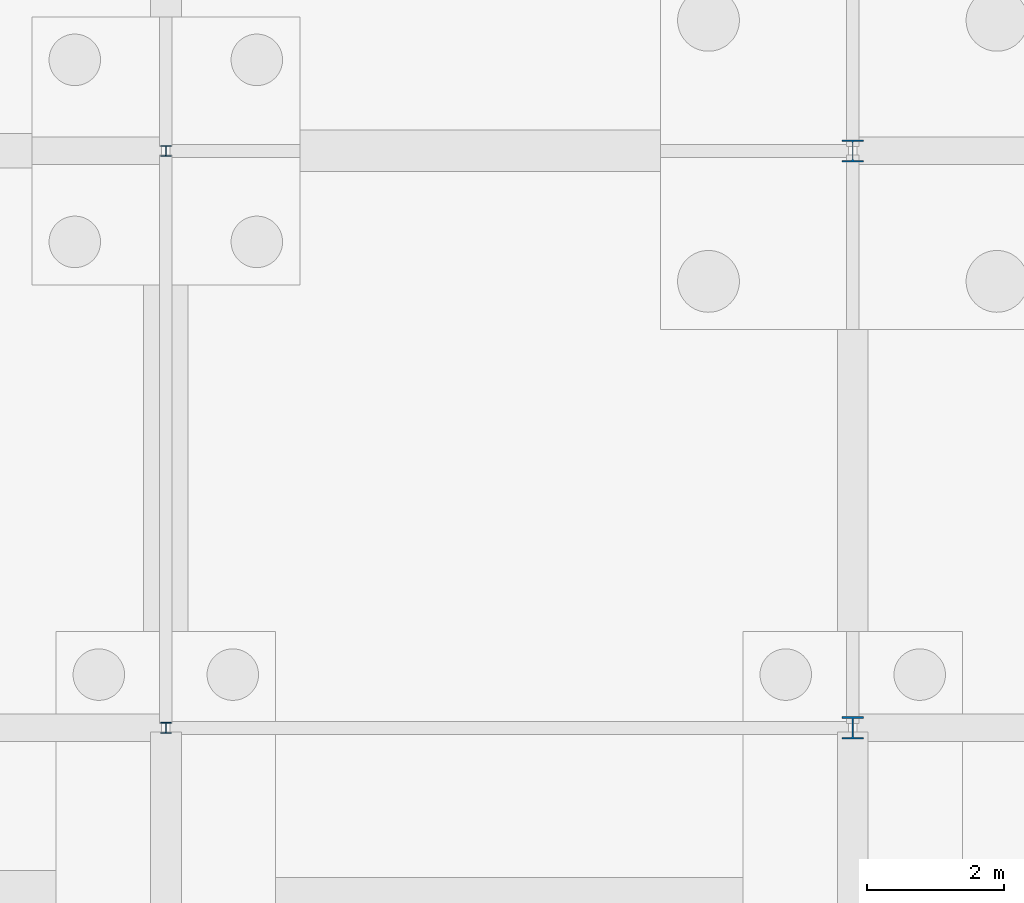
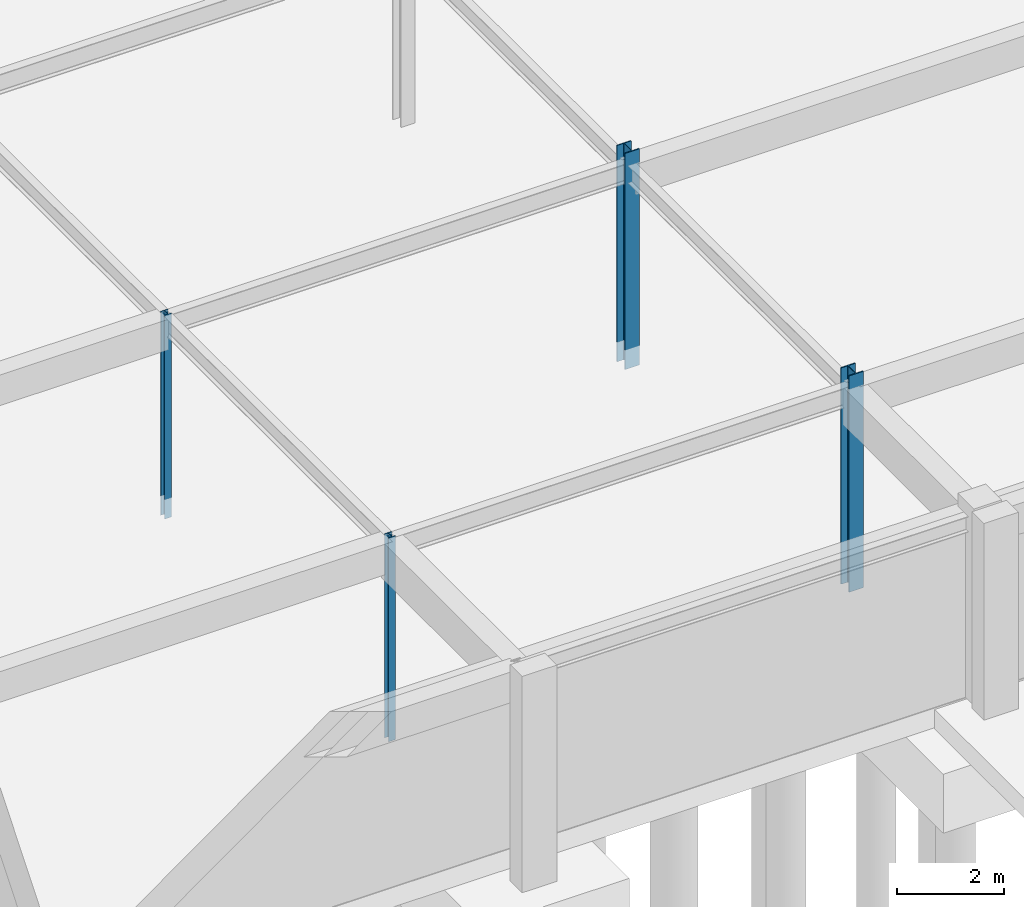
# One storey, part 32 of 75: 4 columns.
"""IFC4 building model written with IfcOpenShell, lengths in metres."""

from ifc_helpers import new_model, si_unit, derived_unit, direction, frame, origin, origin_2d_with_axis, place, context, subcontext, project, spatial, i_section, extrude, material, material_profile, profile_set, type_object, element, save


model = new_model("IFC4")

# Units and contexts
model_context = context("Model", 3, precision=1e-05, world=origin(), true_north=direction((0.0, 1.0)))
body_context = subcontext(model_context, "Body", "Model", "MODEL_VIEW")
ifc_project = project(units=[si_unit("LENGTHUNIT", "METRE"), si_unit("AREAUNIT", "SQUARE_METRE"), si_unit("VOLUMEUNIT", "CUBIC_METRE"), si_unit("PLANEANGLEUNIT", "RADIAN"), si_unit("MASSUNIT", "GRAM", prefix="KILO"), derived_unit("THERMALTRANSMITTANCEUNIT", [(si_unit("POWERUNIT", "WATT"), 1), (si_unit("LENGTHUNIT", "METRE"), -2), (si_unit("THERMODYNAMICTEMPERATUREUNIT", "KELVIN"), -1)])], contexts=[model_context])

# Site, building, storey
site_placement = place(None, origin())
site = spatial("IfcSite", under=ifc_project, at=site_placement, CompositionType="ELEMENT")
building_placement = place(site_placement, origin())
building = spatial("IfcBuilding", under=site, at=building_placement, Name="Cinnabar Yard Market Hall", CompositionType="ELEMENT")
storey_placement = place(building_placement, frame((0.0, 0.0, -4.5)))
storey = spatial("IfcBuildingStorey", under=building, at=storey_placement, Name="B1", CompositionType="ELEMENT", Elevation=-4.5)

# Columns
ifc_material_1 = material(Name="Steel Grade 350 (350 MPa)", Category="steel")
ifc_material_profile_1 = material_profile(ifc_material_1, i_section(OverallWidth=0.311279296875, OverallDepth=0.3271484375, WebThickness=0.015625, FlangeThickness=0.02490234375, FilletRadius=0.0166015625, at=origin_2d_with_axis()), Name="310UC158")
ifc_profile_set_1 = profile_set([ifc_material_profile_1], Name="Steel Grade 350 (350 MPa)")
column_type_1 = type_object("IfcColumnType", Name="COL-C06", PredefinedType="COLUMN", material=ifc_profile_set_1)
column_1_placement = place(storey_placement, frame((86.0, 112.800048828125, -0.449951171875), z_axis=(0.0, 0.0, 1.0), x_axis=(1.0, 0.0, 0.0)))
element("IfcColumn", 1, at=column_1_placement, inside=storey, type_object=column_type_1, Name="Wing Column V3-03-02 B1", PredefinedType="COLUMN", context=body_context, shape_type="SweptSolid", body=[
    extrude(i_section(OverallWidth=0.311279296875, OverallDepth=0.3271484375, WebThickness=0.015625, FlangeThickness=0.02490234375, FilletRadius=0.0166015625, at=origin_2d_with_axis()), origin(), (0.0, 0.0, 1.0), 4.949951171875),
])
ifc_material_profile_2 = material_profile(ifc_material_1, i_section(OverallWidth=0.30908203125, OverallDepth=0.320556640625, WebThickness=0.013916015625, FlangeThickness=0.021728515625, FilletRadius=0.0166015625, at=origin_2d_with_axis()), Name="310UC137")
ifc_profile_set_2 = profile_set([ifc_material_profile_2], Name="Steel Grade 350 (350 MPa)")
column_type_2 = type_object("IfcColumnType", Name="COL-C07", PredefinedType="COLUMN", material=ifc_profile_set_2)
column_2_placement = place(storey_placement, frame((86.0, 121.199951171875, -0.449951171875), z_axis=(0.0, 0.0, 1.0), x_axis=(1.0, 0.0, 0.0)))
element("IfcColumn", 2, at=column_2_placement, inside=storey, type_object=column_type_2, Name="Wing Column V3-03-03 B1", PredefinedType="COLUMN", context=body_context, shape_type="SweptSolid", body=[
    extrude(i_section(OverallWidth=0.30908203125, OverallDepth=0.320556640625, WebThickness=0.013916015625, FlangeThickness=0.021728515625, FilletRadius=0.0166015625, at=origin_2d_with_axis()), origin(), (0.0, 0.0, 1.0), 4.949951171875),
])
ifc_material_2 = material(Name="Steel Grade 300 (300 MPa)", Category="steel")
ifc_material_profile_3 = material_profile(ifc_material_2, i_section(OverallWidth=0.15283203125, OverallDepth=0.15771484375, WebThickness=0.006591796875, FlangeThickness=0.009521484375, FilletRadius=0.0087890625, at=origin_2d_with_axis()), Name="150UC30.0")
ifc_profile_set_3 = profile_set([ifc_material_profile_3], Name="Steel Grade 300 (300 MPa)")
column_type_3 = type_object("IfcColumnType", Name="COL-C18", PredefinedType="COLUMN", material=ifc_profile_set_3)
column_3_placement = place(storey_placement, frame((76.0, 112.800048828125, -0.449951171875), z_axis=(0.0, 0.0, 1.0), x_axis=(1.0, 0.0, 0.0)))
element("IfcColumn", 3, at=column_3_placement, inside=storey, type_object=column_type_3, Name="Wing Column V3-02-02 B1", PredefinedType="COLUMN", context=body_context, shape_type="SweptSolid", body=[
    extrude(i_section(OverallWidth=0.15283203125, OverallDepth=0.15771484375, WebThickness=0.006591796875, FlangeThickness=0.009521484375, FilletRadius=0.0087890625, at=origin_2d_with_axis()), origin(), (0.0, 0.0, 1.0), 4.669921875),
])
ifc_material_profile_4 = material_profile(ifc_material_2, i_section(OverallWidth=0.152099609375, OverallDepth=0.15234375, WebThickness=0.005859375, FlangeThickness=0.0068359375, FilletRadius=0.0087890625, at=origin_2d_with_axis()), Name="150UC23.4")
ifc_profile_set_4 = profile_set([ifc_material_profile_4], Name="Steel Grade 300 (300 MPa)")
column_type_4 = type_object("IfcColumnType", Name="COL-C19", PredefinedType="COLUMN", material=ifc_profile_set_4)
column_4_placement = place(storey_placement, frame((76.0, 121.199951171875, -0.449951171875), z_axis=(0.0, 0.0, 1.0), x_axis=(1.0, 0.0, 0.0)))
element("IfcColumn", 4, at=column_4_placement, inside=storey, type_object=column_type_4, Name="Wing Column V3-02-03 B1", PredefinedType="COLUMN", context=body_context, shape_type="SweptSolid", body=[
    extrude(i_section(OverallWidth=0.152099609375, OverallDepth=0.15234375, WebThickness=0.005859375, FlangeThickness=0.0068359375, FilletRadius=0.0087890625, at=origin_2d_with_axis()), origin(), (0.0, 0.0, 1.0), 4.669921875),
])

save(model, "model.ifc")
